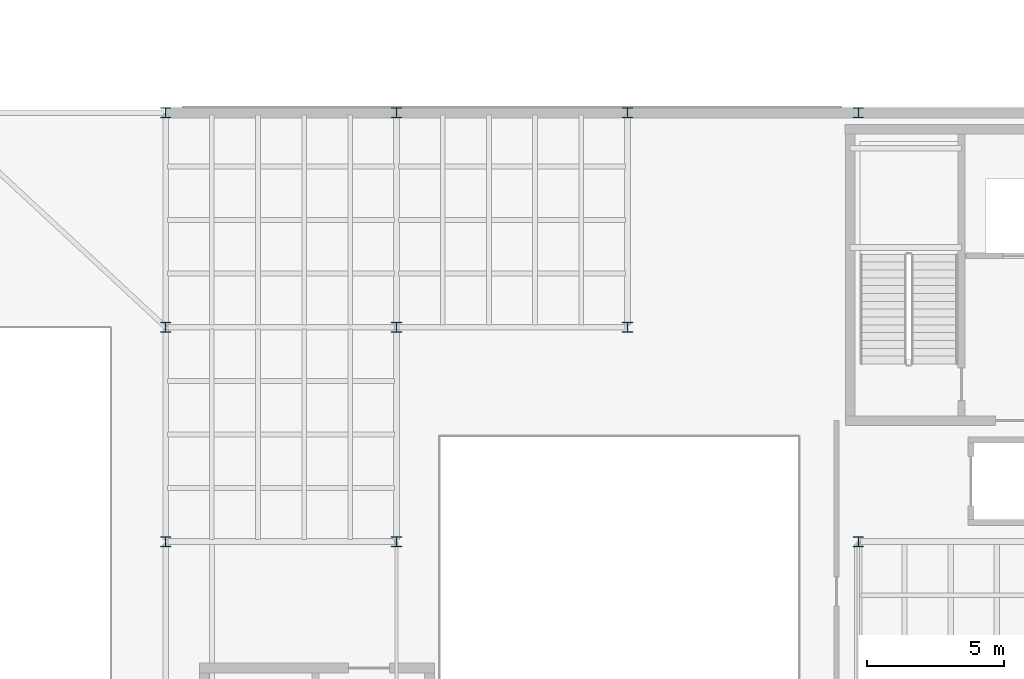
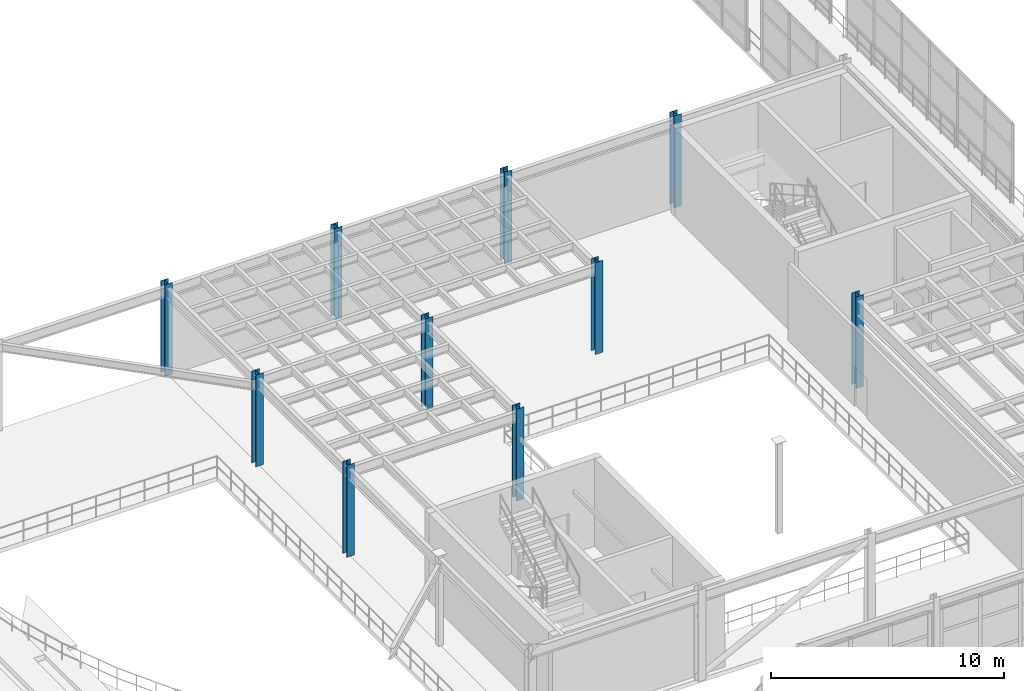
# One storey, part 5 of 116: 10 columns.
"""IFC4 building model written with IfcOpenShell, lengths in metres."""

from ifc_helpers import new_model, si_unit, direction, frame, origin, origin_2d, place, context, subcontext, project, spatial, i_section, extrude, material, material_profile, profile_set, type_object, element, save


model = new_model("IFC4")

# Units and contexts
model_context = context("Model", 3, precision=1e-05, world=origin(), true_north=direction((0.0, 1.0)))
body_context = subcontext(model_context, "Body", "Model", "MODEL_VIEW")
ifc_project = project(units=[si_unit("LENGTHUNIT", "METRE"), si_unit("AREAUNIT", "SQUARE_METRE"), si_unit("VOLUMEUNIT", "CUBIC_METRE"), si_unit("PLANEANGLEUNIT", "RADIAN"), si_unit("MASSUNIT", "GRAM", prefix="KILO")], contexts=[model_context])

# Site, building, storey
site_placement = place(None, origin())
site = spatial("IfcSite", under=ifc_project, at=site_placement, CompositionType="ELEMENT")
building_placement = place(site_placement, origin())
building = spatial("IfcBuilding", under=site, at=building_placement, Name="Selat Folded Stagehouse", CompositionType="ELEMENT")
storey_placement = place(building_placement, frame((0.0, 0.0, 5.39990234375)))
storey = spatial("IfcBuildingStorey", under=building, at=storey_placement, Name="L01", CompositionType="ELEMENT", Elevation=5.39990234375)

# Columns
ifc_material = material(Name="Steel S355", Category="steel")
ifc_material_profile = material_profile(ifc_material, i_section(OverallWidth=0.37255859375, OverallDepth=0.3681640625, WebThickness=0.014404296875, FlangeThickness=0.023681640625, FilletRadius=0.01513671875, at=origin_2d()), Name="UKC 356x368x177")
ifc_profile_set = profile_set([ifc_material_profile], Name="Steel S355")
column_type = type_object("IfcColumnType", Name="COL-UKC-356x368x177", PredefinedType="COLUMN", material=ifc_profile_set)
for number, where, z_axis, x_axis, name in (
    (1, (33.60009765625, 39.0, 0.0), (0.0, 0.0, 1.0), (1.0, 0.0, 0.0), "L01 column STK-V2-08"),
    (2, (33.60009765625, 46.800048828125, 0.0), (0.0, 0.0, 1.0), (1.0, 0.0, 0.0), "L01 column STK-V2-09"),
    (3, (33.60009765625, 54.60009765625, 0.0), (0.0, 0.0, 1.0), (1.0, 0.0, 0.0), "L01 column STK-V2-10"),
    (4, (42.0, 39.0, 0.0), (0.0, 0.0, 1.0), (1.0, 0.0, 0.0), "L01 column STK-V2-12"),
    (5, (42.0, 46.800048828125, 0.0), (0.0, 0.0, 1.0), (1.0, 0.0, 0.0), "L01 column STK-V2-13"),
    (6, (42.0, 54.60009765625, 0.0), (0.0, 0.0, 1.0), (1.0, 0.0, 0.0), "L01 column STK-V2-14"),
    (7, (50.39990234375, 46.800048828125, 0.0), (0.0, 0.0, 1.0), (1.0, 0.0, 0.0), "L01 column STK-V2-16"),
    (8, (50.39990234375, 54.60009765625, 0.0), (0.0, 0.0, 1.0), (1.0, 0.0, 0.0), "L01 column STK-V2-17"),
    (9, (58.800048828125, 39.0, 0.0), (0.0, 0.0, 1.0), (1.0, 0.0, 0.0), "L01 column STK-V2-19"),
    (10, (58.800048828125, 54.60009765625, 0.0), (0.0, 0.0, 1.0), (1.0, 0.0, 0.0), "L01 column STK-V2-20"),
):
    element("IfcColumn", number, at=place(storey_placement, frame(where, z_axis=z_axis, x_axis=x_axis)), inside=storey, type_object=column_type, Name=name, PredefinedType="COLUMN", context=body_context, shape_type="SweptSolid", body=[
        extrude(i_section(OverallWidth=0.37255859375, OverallDepth=0.3681640625, WebThickness=0.014404296875, FlangeThickness=0.023681640625, FilletRadius=0.01513671875, at=origin_2d()), origin(), (0.0, 0.0, 1.0), 4.800048828125),
    ])

save(model, "model.ifc")
